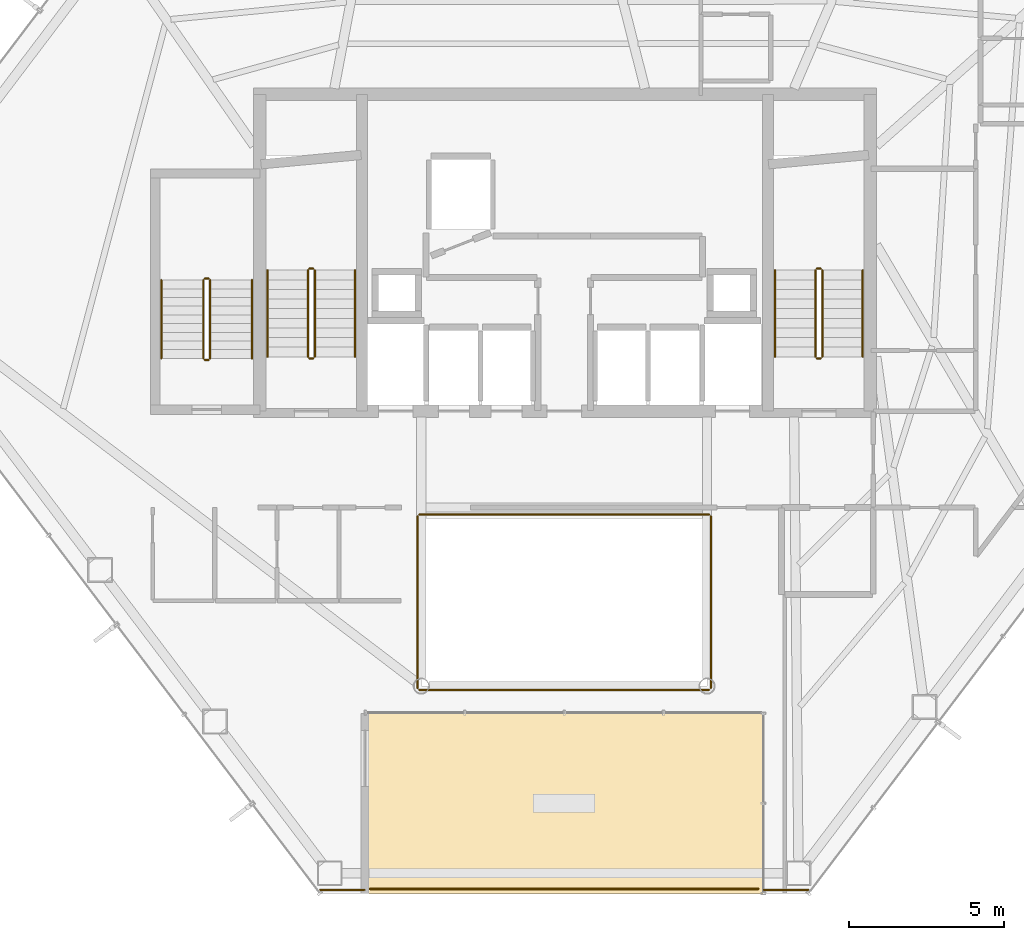
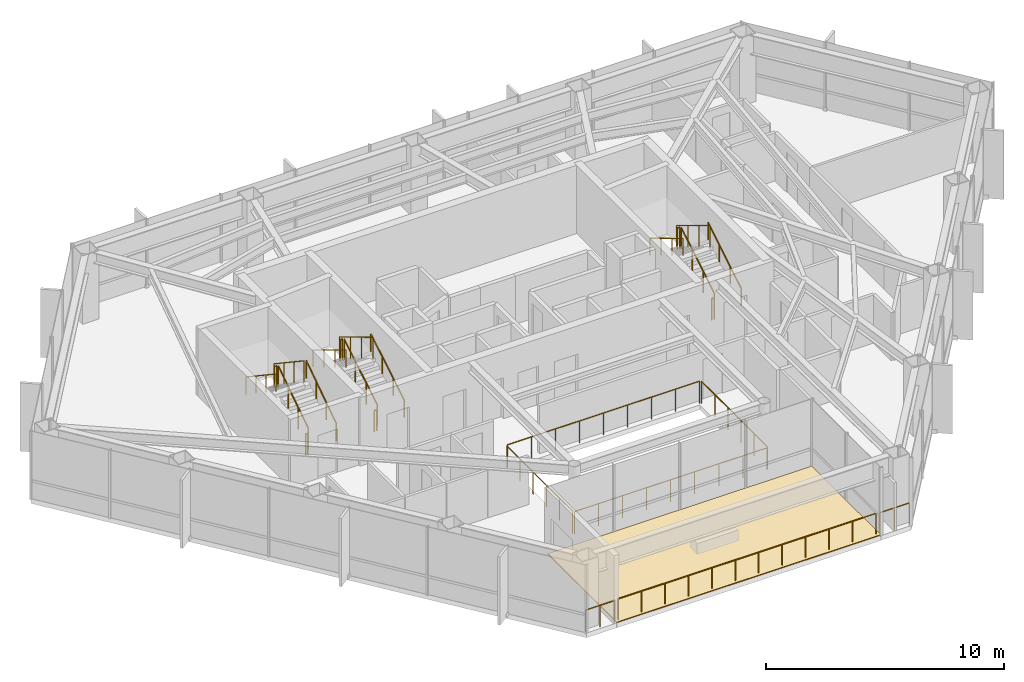
# One storey, part 28 of 28: 25 railings, 1 covering.
"""IFC4 building model written with IfcOpenShell, lengths in metres."""

import ifcopenshell
import ifcopenshell.guid

model = None  # the IFC model being written
_history = None  # IfcOwnerHistory: only IFC2X3 demands one
_inside = {}  # id of a spatial element -> (the spatial element, [elements in it])
_under = {}  # id of a project, library or spatial element -> (it, [spatial elements below it])
_declared = {}  # id of a project -> (the project, [libraries it declares])
_typed = {}  # id of a type object -> (the type object, [elements of that type])
_made_of = {}  # id of a material, layer set ... -> (it, [elements and type objects made of it])


def new_model(schema):
    """Start an empty IFC model of exactly this schema.

    Asked for "IFC4X3", IfcOpenShell would pick the latest addendum, in which some entities
    have other attributes; the version numbers below select the first issue.
    IFC2X3 requires an IfcOwnerHistory on every rooted entity: one is made here for all.
    """
    global model, _history
    if schema == "IFC4X3":
        model = ifcopenshell.file(schema_version=(4, 3, 0, 0))
    else:
        model = ifcopenshell.file(schema=schema)
    _inside.clear()
    _under.clear()
    _declared.clear()
    _typed.clear()
    _made_of.clear()
    _history = None
    if model.schema == "IFC2X3":
        org = make("IfcOrganization", Name="unknown")
        user = make(
            "IfcPersonAndOrganization",
            ThePerson=make("IfcPerson", FamilyName="unknown"),
            TheOrganization=org,
        )
        app = make(
            "IfcApplication",
            ApplicationDeveloper=org,
            Version="unknown",
            ApplicationFullName="unknown",
            ApplicationIdentifier="unknown",
        )
        _history = make(
            "IfcOwnerHistory",
            OwningUser=user,
            OwningApplication=app,
            ChangeAction="ADDED",
            CreationDate=0,
        )
    return model


def make(cls, **values):
    """One entity of the class cls with the attributes given. An attribute that is None is left unset."""
    return model.create_entity(
        cls, **{name: value for name, value in values.items() if value is not None}
    )


def rooted(cls, **values):
    """An entity with a GlobalId (a new one), such as an element, a storey or a relation."""
    return make(cls, GlobalId=ifcopenshell.guid.new(), OwnerHistory=_history, **values)


def si_unit(unit_type, name, prefix=None):
    """IfcSIUnit, for example si_unit("LENGTHUNIT", "METRE", prefix="MILLI")."""
    return make("IfcSIUnit", UnitType=unit_type, Prefix=prefix, Name=name)


def assignment(units):
    """IfcUnitAssignment: the units of a project."""
    return None if units is None else make("IfcUnitAssignment", Units=units)


def point(xyz):
    """IfcCartesianPoint."""
    return None if xyz is None else make("IfcCartesianPoint", Coordinates=xyz)


def direction(xyz):
    """IfcDirection."""
    return None if xyz is None else make("IfcDirection", DirectionRatios=xyz)


def frame(location, z_axis=None, x_axis=None):
    """IfcAxis2Placement3D, a coordinate frame: its origin and axes. An axis left out is left unset."""
    return make(
        "IfcAxis2Placement3D",
        Location=point(location),
        Axis=direction(z_axis),
        RefDirection=direction(x_axis),
    )


def frame_2d(location, x_axis=None):
    """IfcAxis2Placement2D, a coordinate frame in the plane: its origin and x axis."""
    return make(
        "IfcAxis2Placement2D", Location=point(location), RefDirection=direction(x_axis)
    )


def origin():
    """The frame at (0, 0, 0) with its axes left unset."""
    return frame((0.0, 0.0, 0.0))


def origin_2d():
    """The frame at (0, 0) in the plane with its x axis left unset."""
    return frame_2d((0.0, 0.0))


def place(relative_to, where):
    """IfcLocalPlacement: puts the frame where relative to a parent placement (None: the world)."""
    return make(
        "IfcLocalPlacement", PlacementRelTo=relative_to, RelativePlacement=where
    )


def context(
    kind, dimensions, precision=None, world=None, true_north=None, identifier=None
):
    """IfcGeometricRepresentationContext, for example the 3D "Model" context."""
    return make(
        "IfcGeometricRepresentationContext",
        ContextIdentifier=identifier,
        ContextType=kind,
        CoordinateSpaceDimension=dimensions,
        Precision=precision,
        WorldCoordinateSystem=world,
        TrueNorth=true_north,
    )


def subcontext(parent, identifier, kind, view, scale=None):
    """IfcGeometricRepresentationSubContext, for example "Body" below "Model"."""
    return make(
        "IfcGeometricRepresentationSubContext",
        ContextIdentifier=identifier,
        ContextType=kind,
        ParentContext=parent,
        TargetScale=scale,
        TargetView=view,
    )


def project(units=None, contexts=None):
    """IfcProject with its units and contexts."""
    return rooted(
        "IfcProject",
        Name="project",
        RepresentationContexts=contexts,
        UnitsInContext=assignment(units),
    )


def spatial(cls, under=None, at=None, **own):
    """A site, building, storey or space (cls), placed at a placement, below another one or the project."""
    s = rooted(cls, ObjectPlacement=at, **own)
    if under is not None:
        _under.setdefault(under.id(), (under, []))[1].append(s)
    return s


def polyline(points):
    """IfcPolyline through the points."""
    return make("IfcPolyline", Points=[point(p) for p in points])


def profile(cls, at=None, kind="AREA", **sizes):
    """A parametric profile (cls). Its sizes go by their IFC names, for example OverallWidth=200.0."""
    return make(cls, ProfileType=kind, Position=at, **sizes)


def circle(**sizes):
    """IfcCircleProfileDef."""
    return profile("IfcCircleProfileDef", **sizes)


def outline(outer, holes=None, kind="AREA"):
    """IfcArbitraryClosedProfileDef: a profile drawn as a closed curve; with holes, ...WithVoids."""
    if holes is None:
        return make("IfcArbitraryClosedProfileDef", ProfileType=kind, OuterCurve=outer)
    return make(
        "IfcArbitraryProfileDefWithVoids",
        ProfileType=kind,
        OuterCurve=outer,
        InnerCurves=holes,
    )


def extrude(swept, where, along, depth):
    """IfcExtrudedAreaSolid: the profile swept, set in the frame where, extruded along a direction by depth."""
    return make(
        "IfcExtrudedAreaSolid",
        SweptArea=swept,
        Position=where,
        ExtrudedDirection=direction(along),
        Depth=depth,
    )


def shape(context_of_items, identifier, shape_type, items):
    """IfcShapeRepresentation: the items that make up one representation, for example the "Body"."""
    return make(
        "IfcShapeRepresentation",
        ContextOfItems=context_of_items,
        RepresentationIdentifier=identifier,
        RepresentationType=shape_type,
        Items=items,
    )


def material(Name=None, Category=None):
    """IfcMaterial."""
    return make("IfcMaterial", Name=Name, Category=Category)


def layer(
    of_material, thickness, ventilated=None, Name=None, Category=None, Priority=None
):
    """IfcMaterialLayer: one layer of a wall or slab, of a material (None: an air gap)."""
    return make(
        "IfcMaterialLayer",
        Material=of_material,
        LayerThickness=thickness,
        IsVentilated=ventilated,
        Name=Name,
        Category=Category,
        Priority=Priority,
    )


def layer_set(layers, Name=None):
    """IfcMaterialLayerSet."""
    return make("IfcMaterialLayerSet", MaterialLayers=layers, LayerSetName=Name)


def made_of(thing, what):
    """Note that an element or type object is made of a material, layer set ...; save() writes the relation."""
    if what is not None:
        _made_of.setdefault(what.id(), (what, []))[1].append(thing)
    return thing


def type_object(cls, material=None, **own):
    """A type object (cls), such as IfcWallType, which elements share."""
    return made_of(rooted(cls, **own), material)


def element(
    cls,
    number,
    at=None,
    inside=None,
    cuts=None,
    type_object=None,
    material=None,
    context=None,
    identifier="Body",
    shape_type=None,
    held_by="IfcProductDefinitionShape",
    body=None,
    shapes=None,
    **own,
):
    """One element of the class cls, such as IfcWall. Its Tag is "e" and its number.

    at: its placement. inside: the storey or other place that contains it. cuts: it is an
    opening in that element (IfcRelVoidsElement). A single representation is given by context,
    identifier, shape_type and body (its items); several are given by shapes. held_by: the class
    of the entity that holds the representations. save() writes the other relations.
    """
    e = rooted(cls, Tag="e%d" % number, ObjectPlacement=at, **own)
    if body is not None:
        shapes = [shape(context, identifier, shape_type, body)]
    if shapes is not None:
        e.Representation = make(held_by, Representations=shapes)
    if inside is not None:
        _inside.setdefault(inside.id(), (inside, []))[1].append(e)
    if cuts is not None:
        rooted(
            "IfcRelVoidsElement", RelatingBuildingElement=cuts, RelatedOpeningElement=e
        )
    if type_object is not None:
        _typed.setdefault(type_object.id(), (type_object, []))[1].append(e)
    return made_of(e, material)


def aggregate(whole, parts):
    """IfcRelAggregates: a whole, such as a stair, and the parts it consists of."""
    return rooted("IfcRelAggregates", RelatingObject=whole, RelatedObjects=parts)


def save(model, path):
    """Write the relations noted so far, then the file.

    IfcRelAggregates (storeys below a building ...), IfcRelContainedInSpatialStructure (elements
    in a storey), IfcRelDefinesByType, IfcRelAssociatesMaterial and IfcRelDeclares: one each for
    every whole, place, type object, material and project.
    """
    for whole, parts in _under.values():
        aggregate(whole, parts)
    for where, things in _inside.values():
        rooted(
            "IfcRelContainedInSpatialStructure",
            RelatedElements=things,
            RelatingStructure=where,
        )
    for kind, things in _typed.values():
        rooted("IfcRelDefinesByType", RelatedObjects=things, RelatingType=kind)
    for what, things in _made_of.values():
        rooted("IfcRelAssociatesMaterial", RelatedObjects=things, RelatingMaterial=what)
    for by, libraries in _declared.values():
        rooted("IfcRelDeclares", RelatingContext=by, RelatedDefinitions=libraries)
    model.write(path)


model = new_model("IFC4")

# Units and contexts
model_context = context("Model", 3, precision=1e-05, world=origin(), true_north=direction((0.0, 1.0)))
body_context = subcontext(model_context, "Body", "Model", "MODEL_VIEW")
ifc_project = project(units=[si_unit("LENGTHUNIT", "METRE"), si_unit("AREAUNIT", "SQUARE_METRE"), si_unit("VOLUMEUNIT", "CUBIC_METRE"), si_unit("PLANEANGLEUNIT", "RADIAN"), si_unit("MASSUNIT", "GRAM", prefix="KILO")], contexts=[model_context])

# Site, building, storey
site_placement = place(None, origin())
site = spatial("IfcSite", under=ifc_project, at=site_placement, CompositionType="ELEMENT")
building_placement = place(site_placement, origin())
building = spatial("IfcBuilding", under=site, at=building_placement, Name="Zarrinselat Tower", CompositionType="ELEMENT")
storey_placement = place(building_placement, frame((0.0, 0.0, 157.080078125)))
storey = spatial("IfcBuildingStorey", under=building, at=storey_placement, Name="L38", CompositionType="ELEMENT", Elevation=157.080078125)

# Covering
ifc_material_1 = material(Name="Precast concrete C40/50", Category="concrete")
ifc_layer = layer(ifc_material_1, 0.044921875)
ifc_layer_set = layer_set([ifc_layer], Name="Precast concrete C40/50")
covering_type = type_object("IfcCoveringType", Name="COV-RFG-MB45", PredefinedType="ROOFING", material=ifc_layer_set)
covering_placement = place(storey_placement, origin())
element("IfcCovering", 1, at=covering_placement, inside=storey, type_object=covering_type, Name="L38 Terrace Waterproofing Roofing Deck", PredefinedType="ROOFING", context=body_context, shape_type="SweptSolid", body=[
    extrude(outline(polyline([(32.0, 17.723388671875), (32.0, 23.5234375), (44.800048828125, 23.5234375), (44.800048828125, 17.723388671875), (32.0, 17.723388671875)])), origin(), (0.0, 0.0, 1.0), 0.044921875),
])

# Railings
ifc_material_2 = material(Name="Double Low-E Laminated Solar Glass", Category="glass")
railing_type_1 = type_object("IfcRailingType", Name="RLG-ATRIUM-BAL", PredefinedType="BALUSTRADE", material=ifc_material_2)
railing_1_placement = place(storey_placement, frame((33.739990234375, 24.280029296875, 0.0)))
element("IfcRailing", 2, at=railing_1_placement, inside=storey, type_object=railing_type_1, Name="L38 Atrium Void Glass Balustrade S", PredefinedType="BALUSTRADE", context=body_context, shape_type="SweptSolid", body=[
    extrude(circle(Radius=0.02392578125, at=origin_2d()), frame((0.0, 0.0, 1.1259765625), z_axis=(1.0, 0.0, 0.0), x_axis=(0.0, 1.0, 0.0)), (0.0, 0.0, 1.0), 9.320068359375),
    extrude(circle(Radius=0.02099609375, at=origin_2d()), origin(), (0.0, 0.0, 1.0), 1.099853515625),
    extrude(circle(Radius=0.02099609375, at=origin_2d()), frame((1.1650390625, 0.0, 0.0)), (0.0, 0.0, 1.0), 1.099853515625),
    extrude(circle(Radius=0.02099609375, at=origin_2d()), frame((2.330078125, 0.0, 0.0)), (0.0, 0.0, 1.0), 1.099853515625),
    extrude(circle(Radius=0.02099609375, at=origin_2d()), frame((3.4951171875, 0.0, 0.0)), (0.0, 0.0, 1.0), 1.099853515625),
    extrude(circle(Radius=0.02099609375, at=origin_2d()), frame((4.66015625, 0.0, 0.0)), (0.0, 0.0, 1.0), 1.099853515625),
    extrude(circle(Radius=0.02099609375, at=origin_2d()), frame((5.824951171875, 0.0, 0.0)), (0.0, 0.0, 1.0), 1.099853515625),
    extrude(circle(Radius=0.02099609375, at=origin_2d()), frame((6.989990234375, 0.0, 0.0)), (0.0, 0.0, 1.0), 1.099853515625),
    extrude(circle(Radius=0.02099609375, at=origin_2d()), frame((8.155029296875, 0.0, 0.0)), (0.0, 0.0, 1.0), 1.099853515625),
    extrude(circle(Radius=0.02099609375, at=origin_2d()), frame((9.320068359375, 0.0, 0.0)), (0.0, 0.0, 1.0), 1.099853515625),
])
railing_2_placement = place(storey_placement, frame((43.1201171875, 24.340087890625, 0.0)))
element("IfcRailing", 3, at=railing_2_placement, inside=storey, type_object=railing_type_1, Name="L38 Atrium Void Glass Balustrade E", PredefinedType="BALUSTRADE", context=body_context, shape_type="SweptSolid", body=[
    extrude(circle(Radius=0.02392578125, at=origin_2d()), frame((0.0, 0.0, 1.1259765625), z_axis=(0.0, 1.0, 0.0), x_axis=(-1.0, 0.0, 0.0)), (0.0, 0.0, 1.0), 5.52001953125),
    extrude(circle(Radius=0.02099609375, at=origin_2d()), origin(), (0.0, 0.0, 1.0), 1.099853515625),
    extrude(circle(Radius=0.02099609375, at=origin_2d()), frame((0.0, 1.10400390625, 0.0)), (0.0, 0.0, 1.0), 1.099853515625),
    extrude(circle(Radius=0.02099609375, at=origin_2d()), frame((0.0, 2.2080078125, 0.0)), (0.0, 0.0, 1.0), 1.099853515625),
    extrude(circle(Radius=0.02099609375, at=origin_2d()), frame((0.0, 3.31201171875, 0.0)), (0.0, 0.0, 1.0), 1.099853515625),
    extrude(circle(Radius=0.02099609375, at=origin_2d()), frame((0.0, 4.416015625, 0.0)), (0.0, 0.0, 1.0), 1.099853515625),
    extrude(circle(Radius=0.02099609375, at=origin_2d()), frame((0.0, 5.52001953125, 0.0)), (0.0, 0.0, 1.0), 1.099853515625),
])
railing_3_placement = place(storey_placement, frame((43.06005859375, 29.919921875, 0.0)))
element("IfcRailing", 4, at=railing_3_placement, inside=storey, type_object=railing_type_1, Name="L38 Atrium Void Glass Balustrade N", PredefinedType="BALUSTRADE", context=body_context, shape_type="SweptSolid", body=[
    extrude(circle(Radius=0.02392578125, at=origin_2d()), frame((0.0, 0.0, 1.1259765625), z_axis=(-1.0, 0.0, 0.0), x_axis=(0.0, -1.0, 0.0)), (0.0, 0.0, 1.0), 9.320068359375),
    extrude(circle(Radius=0.02099609375, at=origin_2d()), origin(), (0.0, 0.0, 1.0), 1.099853515625),
    extrude(circle(Radius=0.02099609375, at=origin_2d()), frame((-1.1650390625, 0.0, 0.0)), (0.0, 0.0, 1.0), 1.099853515625),
    extrude(circle(Radius=0.02099609375, at=origin_2d()), frame((-2.330078125, 0.0, 0.0)), (0.0, 0.0, 1.0), 1.099853515625),
    extrude(circle(Radius=0.02099609375, at=origin_2d()), frame((-3.4951171875, 0.0, 0.0)), (0.0, 0.0, 1.0), 1.099853515625),
    extrude(circle(Radius=0.02099609375, at=origin_2d()), frame((-4.66015625, 0.0, 0.0)), (0.0, 0.0, 1.0), 1.099853515625),
    extrude(circle(Radius=0.02099609375, at=origin_2d()), frame((-5.824951171875, 0.0, 0.0)), (0.0, 0.0, 1.0), 1.099853515625),
    extrude(circle(Radius=0.02099609375, at=origin_2d()), frame((-6.989990234375, 0.0, 0.0)), (0.0, 0.0, 1.0), 1.099853515625),
    extrude(circle(Radius=0.02099609375, at=origin_2d()), frame((-8.155029296875, 0.0, 0.0)), (0.0, 0.0, 1.0), 1.099853515625),
    extrude(circle(Radius=0.02099609375, at=origin_2d()), frame((-9.320068359375, 0.0, 0.0)), (0.0, 0.0, 1.0), 1.099853515625),
])
railing_4_placement = place(storey_placement, frame((33.679931640625, 29.860107421875, 0.0)))
element("IfcRailing", 5, at=railing_4_placement, inside=storey, type_object=railing_type_1, Name="L38 Atrium Void Glass Balustrade W", PredefinedType="BALUSTRADE", context=body_context, shape_type="SweptSolid", body=[
    extrude(circle(Radius=0.02392578125, at=origin_2d()), frame((0.0, 0.0, 1.1259765625), z_axis=(0.0, -1.0, 0.0), x_axis=(1.0, 0.0, 0.0)), (0.0, 0.0, 1.0), 5.52001953125),
    extrude(circle(Radius=0.02099609375, at=origin_2d()), origin(), (0.0, 0.0, 1.0), 1.099853515625),
    extrude(circle(Radius=0.02099609375, at=origin_2d()), frame((0.0, -1.10400390625, 0.0)), (0.0, 0.0, 1.0), 1.099853515625),
    extrude(circle(Radius=0.02099609375, at=origin_2d()), frame((0.0, -2.2080078125, 0.0)), (0.0, 0.0, 1.0), 1.099853515625),
    extrude(circle(Radius=0.02099609375, at=origin_2d()), frame((0.0, -3.31201171875, 0.0)), (0.0, 0.0, 1.0), 1.099853515625),
    extrude(circle(Radius=0.02099609375, at=origin_2d()), frame((0.0, -4.416015625, 0.0)), (0.0, 0.0, 1.0), 1.099853515625),
    extrude(circle(Radius=0.02099609375, at=origin_2d()), frame((0.0, -5.52001953125, 0.0)), (0.0, 0.0, 1.0), 1.099853515625),
])
ifc_material_3 = material(Name="Steel S355J2", Category="steel")
railing_type_2 = type_object("IfcRailingType", Name="RLG-STAIR-GUARD", PredefinedType="GUARDRAIL", material=ifc_material_3)
railing_5_placement = place(storey_placement, frame((30.3701171875, 35.0, 0.18701171875)))
element("IfcRailing", 6, at=railing_5_placement, inside=storey, type_object=railing_type_2, Name="L38 ST-1 stair guard 1", PredefinedType="GUARDRAIL", context=body_context, shape_type="SweptSolid", body=[
    extrude(circle(Radius=0.02392578125, at=origin_2d()), frame((0.0, 0.0, 1.076171875), z_axis=(0.0, 0.856293938615, 0.516488809842), x_axis=(-1.0, 0.0, 0.0)), (0.0, 0.0, 1.0), 3.25830078125),
    extrude(circle(Radius=0.02099609375, at=origin_2d()), origin(), (0.0, 0.0, 1.0), 1.050048828125),
    extrude(circle(Radius=0.02099609375, at=origin_2d()), frame((0.0, 0.929931640625, 0.56103515625)), (0.0, 0.0, 1.0), 1.050048828125),
    extrude(circle(Radius=0.02099609375, at=origin_2d()), frame((0.0, 1.860107421875, 1.121826171875)), (0.0, 0.0, 1.0), 1.050048828125),
    extrude(circle(Radius=0.02099609375, at=origin_2d()), frame((0.0, 2.7900390625, 1.682861328125)), (0.0, 0.0, 1.0), 1.050048828125),
])
railing_6_placement = place(storey_placement, frame((30.320068359375, 37.840087890625, 1.869873046875)))
element("IfcRailing", 7, at=railing_6_placement, inside=storey, type_object=railing_type_2, Name="L38 ST-1 stair guard 2", PredefinedType="GUARDRAIL", context=body_context, shape_type="SweptSolid", body=[
    extrude(circle(Radius=0.02392578125, at=origin_2d()), frame((0.0, 0.0, 1.076171875), z_axis=(-1.0, 0.0, 0.0), x_axis=(0.0, -1.0, 0.0)), (0.0, 0.0, 1.0), 0.1201171875),
    extrude(circle(Radius=0.02099609375, at=origin_2d()), origin(), (0.0, 0.0, 1.0), 1.050048828125),
    extrude(circle(Radius=0.02099609375, at=origin_2d()), frame((-0.1201171875, 0.0, 0.0)), (0.0, 0.0, 1.0), 1.050048828125),
])
railing_7_placement = place(storey_placement, frame((30.14990234375, 37.7900390625, 2.056884765625)))
element("IfcRailing", 8, at=railing_7_placement, inside=storey, type_object=railing_type_2, Name="L38 ST-1 stair guard 3", PredefinedType="GUARDRAIL", context=body_context, shape_type="SweptSolid", body=[
    extrude(circle(Radius=0.02392578125, at=origin_2d()), frame((0.0, 0.0, 1.076171875), z_axis=(0.0, -0.856260799362, 0.516543747882), x_axis=(1.0, 0.0, 0.0)), (0.0, 0.0, 1.0), 3.25830078125),
    extrude(circle(Radius=0.02099609375, at=origin_2d()), origin(), (0.0, 0.0, 1.0), 1.050048828125),
    extrude(circle(Radius=0.02099609375, at=origin_2d()), frame((0.0, -0.929931640625, 0.56103515625)), (0.0, 0.0, 1.0), 1.050048828125),
    extrude(circle(Radius=0.02099609375, at=origin_2d()), frame((0.0, -1.860107421875, 1.1220703125)), (0.0, 0.0, 1.0), 1.050048828125),
    extrude(circle(Radius=0.02099609375, at=origin_2d()), frame((0.0, -2.7900390625, 1.68310546875)), (0.0, 0.0, 1.0), 1.050048828125),
])
railing_8_placement = place(storey_placement, frame((30.320068359375, 34.949951171875, 0.0)))
element("IfcRailing", 9, at=railing_8_placement, inside=storey, type_object=railing_type_2, Name="L38 ST-1 stair guard 4", PredefinedType="GUARDRAIL", context=body_context, shape_type="SweptSolid", body=[
    extrude(circle(Radius=0.02392578125, at=origin_2d()), frame((0.0, 0.0, 1.076171875), z_axis=(-1.0, 0.0, 0.0), x_axis=(0.0, -1.0, 0.0)), (0.0, 0.0, 1.0), 0.1201171875),
    extrude(circle(Radius=0.02099609375, at=origin_2d()), origin(), (0.0, 0.0, 1.0), 1.050048828125),
    extrude(circle(Radius=0.02099609375, at=origin_2d()), frame((-0.1201171875, 0.0, 0.0)), (0.0, 0.0, 1.0), 1.050048828125),
])
railing_9_placement = place(storey_placement, frame((46.7099609375, 35.0, 0.18701171875)))
element("IfcRailing", 10, at=railing_9_placement, inside=storey, type_object=railing_type_2, Name="L38 ST-2 stair guard 1", PredefinedType="GUARDRAIL", context=body_context, shape_type="SweptSolid", body=[
    extrude(circle(Radius=0.02392578125, at=origin_2d()), frame((0.0, 0.0, 1.076171875), z_axis=(0.0, 0.856293938615, 0.516488809842), x_axis=(-1.0, 0.0, 0.0)), (0.0, 0.0, 1.0), 3.25830078125),
    extrude(circle(Radius=0.02099609375, at=origin_2d()), origin(), (0.0, 0.0, 1.0), 1.050048828125),
    extrude(circle(Radius=0.02099609375, at=origin_2d()), frame((0.0, 0.929931640625, 0.56103515625)), (0.0, 0.0, 1.0), 1.050048828125),
    extrude(circle(Radius=0.02099609375, at=origin_2d()), frame((0.0, 1.860107421875, 1.121826171875)), (0.0, 0.0, 1.0), 1.050048828125),
    extrude(circle(Radius=0.02099609375, at=origin_2d()), frame((0.0, 2.7900390625, 1.682861328125)), (0.0, 0.0, 1.0), 1.050048828125),
])
railing_10_placement = place(storey_placement, frame((46.659912109375, 37.840087890625, 1.869873046875)))
element("IfcRailing", 11, at=railing_10_placement, inside=storey, type_object=railing_type_2, Name="L38 ST-2 stair guard 2", PredefinedType="GUARDRAIL", context=body_context, shape_type="SweptSolid", body=[
    extrude(circle(Radius=0.02392578125, at=origin_2d()), frame((0.0, 0.0, 1.076171875), z_axis=(-1.0, 0.0, 0.0), x_axis=(0.0, -1.0, 0.0)), (0.0, 0.0, 1.0), 0.119873046875),
    extrude(circle(Radius=0.02099609375, at=origin_2d()), origin(), (0.0, 0.0, 1.0), 1.050048828125),
    extrude(circle(Radius=0.02099609375, at=origin_2d()), frame((-0.119873046875, 0.0, 0.0)), (0.0, 0.0, 1.0), 1.050048828125),
])
railing_11_placement = place(storey_placement, frame((46.489990234375, 37.7900390625, 2.056884765625)))
element("IfcRailing", 12, at=railing_11_placement, inside=storey, type_object=railing_type_2, Name="L38 ST-2 stair guard 3", PredefinedType="GUARDRAIL", context=body_context, shape_type="SweptSolid", body=[
    extrude(circle(Radius=0.02392578125, at=origin_2d()), frame((0.0, 0.0, 1.076171875), z_axis=(0.0, -0.856260799362, 0.516543747882), x_axis=(1.0, 0.0, 0.0)), (0.0, 0.0, 1.0), 3.25830078125),
    extrude(circle(Radius=0.02099609375, at=origin_2d()), origin(), (0.0, 0.0, 1.0), 1.050048828125),
    extrude(circle(Radius=0.02099609375, at=origin_2d()), frame((0.0, -0.929931640625, 0.56103515625)), (0.0, 0.0, 1.0), 1.050048828125),
    extrude(circle(Radius=0.02099609375, at=origin_2d()), frame((0.0, -1.860107421875, 1.1220703125)), (0.0, 0.0, 1.0), 1.050048828125),
    extrude(circle(Radius=0.02099609375, at=origin_2d()), frame((0.0, -2.7900390625, 1.68310546875)), (0.0, 0.0, 1.0), 1.050048828125),
])
railing_12_placement = place(storey_placement, frame((46.659912109375, 34.949951171875, 0.0)))
element("IfcRailing", 13, at=railing_12_placement, inside=storey, type_object=railing_type_2, Name="L38 ST-2 stair guard 4", PredefinedType="GUARDRAIL", context=body_context, shape_type="SweptSolid", body=[
    extrude(circle(Radius=0.02392578125, at=origin_2d()), frame((0.0, 0.0, 1.076171875), z_axis=(-1.0, 0.0, 0.0), x_axis=(0.0, -1.0, 0.0)), (0.0, 0.0, 1.0), 0.119873046875),
    extrude(circle(Radius=0.02099609375, at=origin_2d()), origin(), (0.0, 0.0, 1.0), 1.050048828125),
    extrude(circle(Radius=0.02099609375, at=origin_2d()), frame((-0.119873046875, 0.0, 0.0)), (0.0, 0.0, 1.0), 1.050048828125),
])
railing_13_placement = place(storey_placement, frame((27.0, 34.949951171875, 0.18701171875)))
element("IfcRailing", 14, at=railing_13_placement, inside=storey, type_object=railing_type_2, Name="L38 ST-3 stair guard 1", PredefinedType="GUARDRAIL", context=body_context, shape_type="SweptSolid", body=[
    extrude(circle(Radius=0.02392578125, at=origin_2d()), frame((0.0, 0.0, 1.076171875), z_axis=(0.0, 0.831616215664, 0.555350762892), x_axis=(-1.0, 0.0, 0.0)), (0.0, 0.0, 1.0), 3.0302734375),
    extrude(circle(Radius=0.02099609375, at=origin_2d()), origin(), (0.0, 0.0, 1.0), 1.050048828125),
    extrude(circle(Radius=0.02099609375, at=origin_2d()), frame((0.0, 0.840087890625, 0.56103515625)), (0.0, 0.0, 1.0), 1.050048828125),
    extrude(circle(Radius=0.02099609375, at=origin_2d()), frame((0.0, 1.679931640625, 1.121826171875)), (0.0, 0.0, 1.0), 1.050048828125),
    extrude(circle(Radius=0.02099609375, at=origin_2d()), frame((0.0, 2.52001953125, 1.682861328125)), (0.0, 0.0, 1.0), 1.050048828125),
])
railing_14_placement = place(storey_placement, frame((26.949951171875, 37.52001953125, 1.869873046875)))
element("IfcRailing", 15, at=railing_14_placement, inside=storey, type_object=railing_type_2, Name="L38 ST-3 stair guard 2", PredefinedType="GUARDRAIL", context=body_context, shape_type="SweptSolid", body=[
    extrude(circle(Radius=0.02392578125, at=origin_2d()), frame((0.0, 0.0, 1.076171875), z_axis=(-1.0, 0.0, 0.0), x_axis=(0.0, -1.0, 0.0)), (0.0, 0.0, 1.0), 0.119873046875),
    extrude(circle(Radius=0.02099609375, at=origin_2d()), origin(), (0.0, 0.0, 1.0), 1.050048828125),
    extrude(circle(Radius=0.02099609375, at=origin_2d()), frame((-0.119873046875, 0.0, 0.0)), (0.0, 0.0, 1.0), 1.050048828125),
])
railing_15_placement = place(storey_placement, frame((26.780029296875, 37.469970703125, 2.056884765625)))
element("IfcRailing", 16, at=railing_15_placement, inside=storey, type_object=railing_type_2, Name="L38 ST-3 stair guard 3", PredefinedType="GUARDRAIL", context=body_context, shape_type="SweptSolid", body=[
    extrude(circle(Radius=0.02392578125, at=origin_2d()), frame((0.0, 0.0, 1.076171875), z_axis=(0.0, -0.831579006341, 0.555406478368), x_axis=(1.0, 0.0, 0.0)), (0.0, 0.0, 1.0), 3.030517578125),
    extrude(circle(Radius=0.02099609375, at=origin_2d()), origin(), (0.0, 0.0, 1.0), 1.050048828125),
    extrude(circle(Radius=0.02099609375, at=origin_2d()), frame((0.0, -0.840087890625, 0.56103515625)), (0.0, 0.0, 1.0), 1.050048828125),
    extrude(circle(Radius=0.02099609375, at=origin_2d()), frame((0.0, -1.679931640625, 1.1220703125)), (0.0, 0.0, 1.0), 1.050048828125),
    extrude(circle(Radius=0.02099609375, at=origin_2d()), frame((0.0, -2.52001953125, 1.68310546875)), (0.0, 0.0, 1.0), 1.050048828125),
])
railing_16_placement = place(storey_placement, frame((26.949951171875, 34.89990234375, 0.0)))
element("IfcRailing", 17, at=railing_16_placement, inside=storey, type_object=railing_type_2, Name="L38 ST-3 stair guard 4", PredefinedType="GUARDRAIL", context=body_context, shape_type="SweptSolid", body=[
    extrude(circle(Radius=0.02392578125, at=origin_2d()), frame((0.0, 0.0, 1.076171875), z_axis=(-1.0, 0.0, 0.0), x_axis=(0.0, -1.0, 0.0)), (0.0, 0.0, 1.0), 0.119873046875),
    extrude(circle(Radius=0.02099609375, at=origin_2d()), origin(), (0.0, 0.0, 1.0), 1.050048828125),
    extrude(circle(Radius=0.02099609375, at=origin_2d()), frame((-0.119873046875, 0.0, 0.0)), (0.0, 0.0, 1.0), 1.050048828125),
])
ifc_material_4 = material(Name="Steel S355J2", Category="steel")
railing_type_3 = type_object("IfcRailingType", Name="RLG-STAIR-HAND", PredefinedType="HANDRAIL", material=ifc_material_4)
railing_17_placement = place(storey_placement, frame((31.669921875, 35.0, 0.18701171875)))
element("IfcRailing", 18, at=railing_17_placement, inside=storey, type_object=railing_type_3, Name="L38 ST-1 stair handrail 1", PredefinedType="HANDRAIL", context=body_context, shape_type="SweptSolid", body=[
    extrude(circle(Radius=0.02392578125, at=origin_2d()), frame((0.0, 0.0, 0.8759765625), z_axis=(0.0, 0.856293938615, 0.516488809842), x_axis=(-1.0, 0.0, 0.0)), (0.0, 0.0, 1.0), 3.25830078125),
    extrude(circle(Radius=0.02099609375, at=origin_2d()), origin(), (0.0, 0.0, 1.0), 0.849853515625),
    extrude(circle(Radius=0.02099609375, at=origin_2d()), frame((0.0, 0.929931640625, 0.56103515625)), (0.0, 0.0, 1.0), 0.849853515625),
    extrude(circle(Radius=0.02099609375, at=origin_2d()), frame((0.0, 1.860107421875, 1.121826171875)), (0.0, 0.0, 1.0), 0.849853515625),
    extrude(circle(Radius=0.02099609375, at=origin_2d()), frame((0.0, 2.7900390625, 1.682861328125)), (0.0, 0.0, 1.0), 0.849853515625),
])
railing_18_placement = place(storey_placement, frame((28.85009765625, 37.7900390625, 2.056884765625)))
element("IfcRailing", 19, at=railing_18_placement, inside=storey, type_object=railing_type_3, Name="L38 ST-1 stair handrail 2", PredefinedType="HANDRAIL", context=body_context, shape_type="SweptSolid", body=[
    extrude(circle(Radius=0.02392578125, at=origin_2d()), frame((0.0, 0.0, 0.8759765625), z_axis=(0.0, -0.856260799362, 0.516543747882), x_axis=(1.0, 0.0, 0.0)), (0.0, 0.0, 1.0), 3.25830078125),
    extrude(circle(Radius=0.02099609375, at=origin_2d()), origin(), (0.0, 0.0, 1.0), 0.849853515625),
    extrude(circle(Radius=0.02099609375, at=origin_2d()), frame((0.0, -0.929931640625, 0.56103515625)), (0.0, 0.0, 1.0), 0.849853515625),
    extrude(circle(Radius=0.02099609375, at=origin_2d()), frame((0.0, -1.860107421875, 1.1220703125)), (0.0, 0.0, 1.0), 0.849853515625),
    extrude(circle(Radius=0.02099609375, at=origin_2d()), frame((0.0, -2.7900390625, 1.68310546875)), (0.0, 0.0, 1.0), 0.849853515625),
])
railing_19_placement = place(storey_placement, frame((48.010009765625, 35.0, 0.18701171875)))
element("IfcRailing", 20, at=railing_19_placement, inside=storey, type_object=railing_type_3, Name="L38 ST-2 stair handrail 1", PredefinedType="HANDRAIL", context=body_context, shape_type="SweptSolid", body=[
    extrude(circle(Radius=0.02392578125, at=origin_2d()), frame((0.0, 0.0, 0.8759765625), z_axis=(0.0, 0.856293938615, 0.516488809842), x_axis=(-1.0, 0.0, 0.0)), (0.0, 0.0, 1.0), 3.25830078125),
    extrude(circle(Radius=0.02099609375, at=origin_2d()), origin(), (0.0, 0.0, 1.0), 0.849853515625),
    extrude(circle(Radius=0.02099609375, at=origin_2d()), frame((0.0, 0.929931640625, 0.56103515625)), (0.0, 0.0, 1.0), 0.849853515625),
    extrude(circle(Radius=0.02099609375, at=origin_2d()), frame((0.0, 1.860107421875, 1.121826171875)), (0.0, 0.0, 1.0), 0.849853515625),
    extrude(circle(Radius=0.02099609375, at=origin_2d()), frame((0.0, 2.7900390625, 1.682861328125)), (0.0, 0.0, 1.0), 0.849853515625),
])
railing_20_placement = place(storey_placement, frame((45.18994140625, 37.7900390625, 2.056884765625)))
element("IfcRailing", 21, at=railing_20_placement, inside=storey, type_object=railing_type_3, Name="L38 ST-2 stair handrail 2", PredefinedType="HANDRAIL", context=body_context, shape_type="SweptSolid", body=[
    extrude(circle(Radius=0.02392578125, at=origin_2d()), frame((0.0, 0.0, 0.8759765625), z_axis=(0.0, -0.856260799362, 0.516543747882), x_axis=(1.0, 0.0, 0.0)), (0.0, 0.0, 1.0), 3.25830078125),
    extrude(circle(Radius=0.02099609375, at=origin_2d()), origin(), (0.0, 0.0, 1.0), 0.849853515625),
    extrude(circle(Radius=0.02099609375, at=origin_2d()), frame((0.0, -0.929931640625, 0.56103515625)), (0.0, 0.0, 1.0), 0.849853515625),
    extrude(circle(Radius=0.02099609375, at=origin_2d()), frame((0.0, -1.860107421875, 1.1220703125)), (0.0, 0.0, 1.0), 0.849853515625),
    extrude(circle(Radius=0.02099609375, at=origin_2d()), frame((0.0, -2.7900390625, 1.68310546875)), (0.0, 0.0, 1.0), 0.849853515625),
])
railing_21_placement = place(storey_placement, frame((28.35009765625, 34.949951171875, 0.18701171875)))
element("IfcRailing", 22, at=railing_21_placement, inside=storey, type_object=railing_type_3, Name="L38 ST-3 stair handrail 1", PredefinedType="HANDRAIL", context=body_context, shape_type="SweptSolid", body=[
    extrude(circle(Radius=0.02392578125, at=origin_2d()), frame((0.0, 0.0, 0.8759765625), z_axis=(0.0, 0.831616215664, 0.555350762892), x_axis=(-1.0, 0.0, 0.0)), (0.0, 0.0, 1.0), 3.0302734375),
    extrude(circle(Radius=0.02099609375, at=origin_2d()), origin(), (0.0, 0.0, 1.0), 0.849853515625),
    extrude(circle(Radius=0.02099609375, at=origin_2d()), frame((0.0, 0.840087890625, 0.56103515625)), (0.0, 0.0, 1.0), 0.849853515625),
    extrude(circle(Radius=0.02099609375, at=origin_2d()), frame((0.0, 1.679931640625, 1.121826171875)), (0.0, 0.0, 1.0), 0.849853515625),
    extrude(circle(Radius=0.02099609375, at=origin_2d()), frame((0.0, 2.52001953125, 1.682861328125)), (0.0, 0.0, 1.0), 0.849853515625),
])
railing_22_placement = place(storey_placement, frame((25.429931640625, 37.469970703125, 2.056884765625)))
element("IfcRailing", 23, at=railing_22_placement, inside=storey, type_object=railing_type_3, Name="L38 ST-3 stair handrail 2", PredefinedType="HANDRAIL", context=body_context, shape_type="SweptSolid", body=[
    extrude(circle(Radius=0.02392578125, at=origin_2d()), frame((0.0, 0.0, 0.8759765625), z_axis=(0.0, -0.831579006341, 0.555406478368), x_axis=(1.0, 0.0, 0.0)), (0.0, 0.0, 1.0), 3.030517578125),
    extrude(circle(Radius=0.02099609375, at=origin_2d()), origin(), (0.0, 0.0, 1.0), 0.849853515625),
    extrude(circle(Radius=0.02099609375, at=origin_2d()), frame((0.0, -0.840087890625, 0.56103515625)), (0.0, 0.0, 1.0), 0.849853515625),
    extrude(circle(Radius=0.02099609375, at=origin_2d()), frame((0.0, -1.679931640625, 1.1220703125)), (0.0, 0.0, 1.0), 0.849853515625),
    extrude(circle(Radius=0.02099609375, at=origin_2d()), frame((0.0, -2.52001953125, 1.68310546875)), (0.0, 0.0, 1.0), 0.849853515625),
])
ifc_material_5 = material(Name="Steel S355J2", Category="steel")
railing_type_4 = type_object("IfcRailingType", Name="RLG-TERR-GUARD", PredefinedType="GUARDRAIL", material=ifc_material_5)
railing_23_placement = place(storey_placement, frame((44.64990234375, 17.873291015625, 0.0)))
element("IfcRailing", 24, at=railing_23_placement, inside=storey, type_object=railing_type_4, Name="L38 Sky Garden Edge Guardrail 4", PredefinedType="GUARDRAIL", context=body_context, shape_type="SweptSolid", body=[
    extrude(circle(Radius=0.02392578125, at=origin_2d()), frame((0.0, 0.0, 1.09619140625), z_axis=(-1.0, 0.0, 0.0), x_axis=(0.0, -1.0, 0.0)), (0.0, 0.0, 1.0), 12.5),
    extrude(circle(Radius=0.02099609375, at=origin_2d()), origin(), (0.0, 0.0, 1.0), 1.070068359375),
    extrude(circle(Radius=0.02099609375, at=origin_2d()), frame((-1.136474609375, 0.0, 0.0)), (0.0, 0.0, 1.0), 1.070068359375),
    extrude(circle(Radius=0.02099609375, at=origin_2d()), frame((-2.272705078125, 0.0, 0.0)), (0.0, 0.0, 1.0), 1.070068359375),
    extrude(circle(Radius=0.02099609375, at=origin_2d()), frame((-3.4091796875, 0.0, 0.0)), (0.0, 0.0, 1.0), 1.070068359375),
    extrude(circle(Radius=0.02099609375, at=origin_2d()), frame((-4.54541015625, 0.0, 0.0)), (0.0, 0.0, 1.0), 1.070068359375),
    extrude(circle(Radius=0.02099609375, at=origin_2d()), frame((-5.681884765625, 0.0, 0.0)), (0.0, 0.0, 1.0), 1.070068359375),
    extrude(circle(Radius=0.02099609375, at=origin_2d()), frame((-6.818115234375, 0.0, 0.0)), (0.0, 0.0, 1.0), 1.070068359375),
    extrude(circle(Radius=0.02099609375, at=origin_2d()), frame((-7.95458984375, 0.0, 0.0)), (0.0, 0.0, 1.0), 1.070068359375),
    extrude(circle(Radius=0.02099609375, at=origin_2d()), frame((-9.0908203125, 0.0, 0.0)), (0.0, 0.0, 1.0), 1.070068359375),
    extrude(circle(Radius=0.02099609375, at=origin_2d()), frame((-10.227294921875, 0.0, 0.0)), (0.0, 0.0, 1.0), 1.070068359375),
    extrude(circle(Radius=0.02099609375, at=origin_2d()), frame((-11.363525390625, 0.0, 0.0)), (0.0, 0.0, 1.0), 1.070068359375),
    extrude(circle(Radius=0.02099609375, at=origin_2d()), frame((-12.5, 0.0, 0.0)), (0.0, 0.0, 1.0), 1.070068359375),
])
for number, where, name in (
    (25, (30.550048828125, 17.840087890625, 0.0), "L38 South Sky-Garden Chamfer Edge Guardrail W"),
    (26, (44.830078125, 17.840087890625, 0.0), "L38 South Sky-Garden Chamfer Edge Guardrail E"),
):
    element("IfcRailing", number, at=place(storey_placement, frame(where)), inside=storey, type_object=railing_type_4, Name=name, PredefinedType="GUARDRAIL", context=body_context, shape_type="SweptSolid", body=[
        extrude(circle(Radius=0.02392578125, at=origin_2d()), frame((0.0, 0.0, 1.09619140625), z_axis=(1.0, 0.0, 0.0), x_axis=(0.0, 1.0, 0.0)), (0.0, 0.0, 1.0), 1.419921875),
        extrude(circle(Radius=0.02099609375, at=origin_2d()), origin(), (0.0, 0.0, 1.0), 1.070068359375),
        extrude(circle(Radius=0.02099609375, at=origin_2d()), frame((0.7099609375, 0.0, 0.0)), (0.0, 0.0, 1.0), 1.070068359375),
        extrude(circle(Radius=0.02099609375, at=origin_2d()), frame((1.419921875, 0.0, 0.0)), (0.0, 0.0, 1.0), 1.070068359375),
    ])

save(model, "model.ifc")
